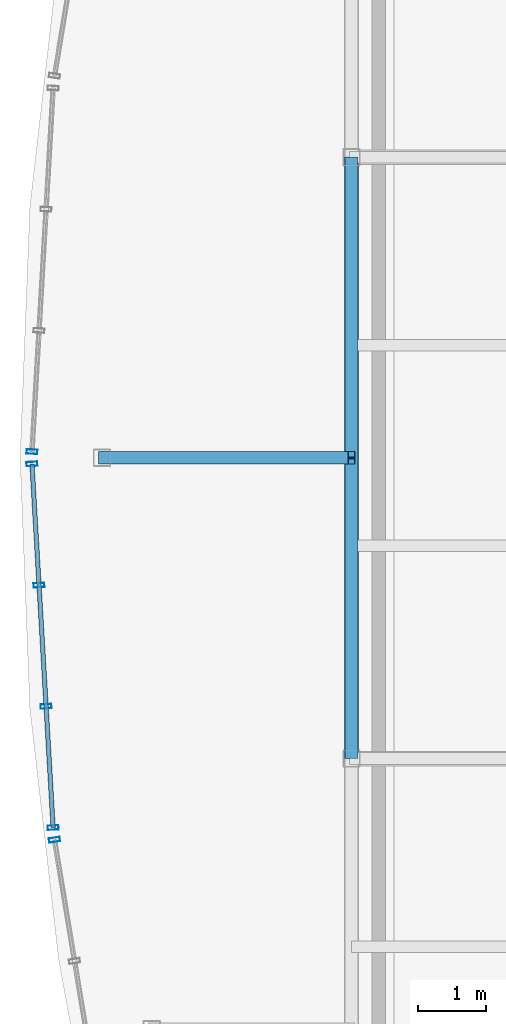
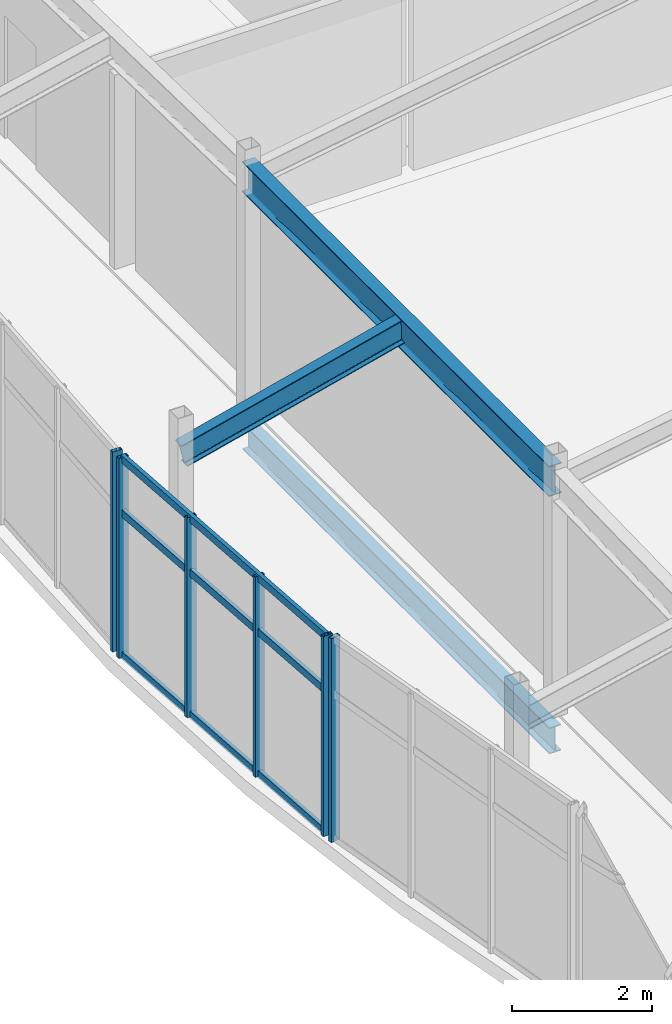
# One storey, part 19 of 114: 10 members, 2 beams, 3 elements without a shape of their own.
"""IFC4 building model written with IfcOpenShell, lengths in metres."""

from ifc_helpers import new_model, si_unit, direction, frame, origin, origin_2d, place, context, subcontext, project, spatial, hollow_rectangle, i_section, extrude, material, layer, layer_set, material_profile, profile_set, type_object, element, aggregate, save


model = new_model("IFC4")

# Units and contexts
model_context = context("Model", 3, precision=1e-05, world=origin(), true_north=direction((0.0, 1.0)))
body_context = subcontext(model_context, "Body", "Model", "MODEL_VIEW")
ifc_project = project(units=[si_unit("LENGTHUNIT", "METRE"), si_unit("AREAUNIT", "SQUARE_METRE"), si_unit("VOLUMEUNIT", "CUBIC_METRE"), si_unit("PLANEANGLEUNIT", "RADIAN"), si_unit("MASSUNIT", "GRAM", prefix="KILO")], contexts=[model_context])

# Site, building, storey
site_placement = place(None, origin())
site = spatial("IfcSite", under=ifc_project, at=site_placement, CompositionType="ELEMENT")
building_placement = place(site_placement, origin())
building = spatial("IfcBuilding", under=site, at=building_placement, Name="Chalmorin Arch Market", CompositionType="ELEMENT")
storey_placement = place(building_placement, frame((0.0, 0.0, 9.60009765625)))
storey = spatial("IfcBuildingStorey", under=building, at=storey_placement, Name="L02", CompositionType="ELEMENT", Elevation=9.60009765625)

# Curtain wall, member
ifc_material_1 = material(Name="Aluminium 6063-T6", Category="aluminium")
ifc_layer_1 = layer(ifc_material_1, 0.159912109375)
ifc_layer_set_1 = layer_set([ifc_layer_1], Name="Aluminium 6063-T6")
curtain_wall_type_1 = type_object("IfcCurtainWallType", Name="RiverfrontStorefrontCurtainWall-CW2-5390x3570", PredefinedType="NOTDEFINED", material=ifc_layer_set_1)
curtain_wall_1_placement = place(storey_placement, origin())
curtain_wall_1 = element("IfcCurtainWall", 1, at=curtain_wall_1_placement, inside=storey, type_object=curtain_wall_type_1, Name="CW-02-053", PredefinedType="NOTDEFINED")
ifc_material_profile_1 = material_profile(ifc_material_1, hollow_rectangle(XDim=0.06494140625, YDim=0.159912109375, WallThickness=0.00390625, at=origin_2d()), Name="ALU65X160X4")
ifc_profile_set_1 = profile_set([ifc_material_profile_1], Name="Aluminium 6063-T6")
member_type_1 = type_object("IfcMemberType", Name="CurtainWallMullion-65x160", PredefinedType="MULLION", material=ifc_profile_set_1)
member_1_placement = place(storey_placement, frame((-4.34521484375, 22.4111328125, 0.0), z_axis=(0.0, 0.0, 1.0), x_axis=(-0.15643446504, 0.987688340595, 0.0)))
member_1 = element("IfcMember", 2, at=member_1_placement, type_object=member_type_1, Name="ML-053-04", PredefinedType="MULLION", context=body_context, shape_type="SweptSolid", body=[
    extrude(hollow_rectangle(XDim=0.06494140625, YDim=0.159912109375, WallThickness=0.00390625, at=origin_2d()), origin(), (0.0, 0.0, 1.0), 3.56884765625),
])
aggregate(curtain_wall_1, [member_1])

# Curtain wall, members
ifc_layer_2 = layer(ifc_material_1, 0.159912109375)
ifc_layer_set_2 = layer_set([ifc_layer_2], Name="Aluminium 6063-T6")
curtain_wall_type_2 = type_object("IfcCurtainWallType", Name="RiverfrontStorefrontCurtainWall-CW2-5330x3500", PredefinedType="NOTDEFINED", material=ifc_layer_set_2)
curtain_wall_2_placement = place(storey_placement, origin())
curtain_wall_2 = element("IfcCurtainWall", 3, at=curtain_wall_2_placement, inside=storey, type_object=curtain_wall_type_2, Name="CW-02-056", PredefinedType="NOTDEFINED")
member_2_placement = place(storey_placement, frame((-4.365234375, 22.58984375, 0.0), z_axis=(0.0, 0.0, 1.0), x_axis=(-0.052335956243, 0.998629534755, 0.0)))
member_2 = element("IfcMember", 4, at=member_2_placement, type_object=member_type_1, Name="ML-056-01", PredefinedType="MULLION", context=body_context, shape_type="SweptSolid", body=[
    extrude(hollow_rectangle(XDim=0.06494140625, YDim=0.159912109375, WallThickness=0.00390625, at=origin_2d()), origin(), (0.0, 0.0, 1.0), 3.5),
])
member_3_placement = place(storey_placement, frame((-4.468505859375, 24.36328125, 0.0), z_axis=(0.0, 0.0, 1.0), x_axis=(-0.052335956243, 0.998629534755, 0.0)))
member_3 = element("IfcMember", 5, at=member_3_placement, type_object=member_type_1, Name="ML-056-02", PredefinedType="MULLION", context=body_context, shape_type="SweptSolid", body=[
    extrude(hollow_rectangle(XDim=0.06494140625, YDim=0.159912109375, WallThickness=0.00390625, at=origin_2d()), origin(), (0.0, 0.0, 1.0), 3.5),
])
member_4_placement = place(storey_placement, frame((-4.571533203125, 26.13671875, 0.0), z_axis=(0.0, 0.0, 1.0), x_axis=(-0.052335956243, 0.998629534755, 0.0)))
member_4 = element("IfcMember", 6, at=member_4_placement, type_object=member_type_1, Name="ML-056-03", PredefinedType="MULLION", context=body_context, shape_type="SweptSolid", body=[
    extrude(hollow_rectangle(XDim=0.06494140625, YDim=0.159912109375, WallThickness=0.00390625, at=origin_2d()), origin(), (0.0, 0.0, 1.0), 3.5),
])
member_5_placement = place(storey_placement, frame((-4.6748046875, 27.91015625, 0.0), z_axis=(0.0, 0.0, 1.0), x_axis=(-0.052335956243, 0.998629534755, 0.0)))
member_5 = element("IfcMember", 7, at=member_5_placement, type_object=member_type_1, Name="ML-056-04", PredefinedType="MULLION", context=body_context, shape_type="SweptSolid", body=[
    extrude(hollow_rectangle(XDim=0.06494140625, YDim=0.159912109375, WallThickness=0.00390625, at=origin_2d()), origin(), (0.0, 0.0, 1.0), 3.5),
])

# Curtain wall, member
curtain_wall_3_placement = place(storey_placement, origin())
curtain_wall_3 = element("IfcCurtainWall", 8, at=curtain_wall_3_placement, inside=storey, type_object=curtain_wall_type_2, Name="CW-02-059", PredefinedType="NOTDEFINED")
member_6_placement = place(storey_placement, frame((-4.6748046875, 28.08984375, 0.0), z_axis=(0.0, 0.0, 1.0), x_axis=(0.052335956243, 0.998629534755, 0.0)))
member_6 = element("IfcMember", 9, at=member_6_placement, type_object=member_type_1, Name="ML-059-01", PredefinedType="MULLION", context=body_context, shape_type="SweptSolid", body=[
    extrude(hollow_rectangle(XDim=0.06494140625, YDim=0.159912109375, WallThickness=0.00390625, at=origin_2d()), origin(), (0.0, 0.0, 1.0), 3.5),
])
aggregate(curtain_wall_3, [member_6])

# Member
ifc_material_profile_2 = material_profile(ifc_material_1, hollow_rectangle(XDim=0.06494140625, YDim=0.1298828125, WallThickness=0.00390625, at=origin_2d()), Name="ALU65X130X4")
ifc_profile_set_2 = profile_set([ifc_material_profile_2], Name="Aluminium 6063-T6")
member_type_2 = type_object("IfcMemberType", Name="CurtainWallTransom-65x130", PredefinedType="USERDEFINED", material=ifc_profile_set_2)
member_7_placement = place(storey_placement, frame((-4.365234375, 22.58984375, 0.034912109375), z_axis=(-0.058088239808, 0.998311452602, 0.0), x_axis=(-0.998311452602, -0.058088239808, 0.0)))
member_7 = element("IfcMember", 10, at=member_7_placement, type_object=member_type_2, Name="TR-056-01", ObjectType="TRANSOM", PredefinedType="USERDEFINED", context=body_context, shape_type="SweptSolid", body=[
    extrude(hollow_rectangle(XDim=0.06494140625, YDim=0.1298828125, WallThickness=0.00390625, at=origin_2d()), origin(), (0.0, 0.0, 1.0), 5.329345703125),
])

member_8_placement = place(storey_placement, frame((-4.365234375, 22.58984375, 2.52001953125), z_axis=(-0.058088239808, 0.998311452602, 0.0), x_axis=(-0.998311452602, -0.058088239808, 0.0)))
member_8 = element("IfcMember", 11, at=member_8_placement, type_object=member_type_2, Name="TR-056-02", ObjectType="TRANSOM", PredefinedType="USERDEFINED", context=body_context, shape_type="SweptSolid", body=[
    extrude(hollow_rectangle(XDim=0.06494140625, YDim=0.1298828125, WallThickness=0.00390625, at=origin_2d()), origin(), (0.0, 0.0, 1.0), 5.329345703125),
])

member_9_placement = place(storey_placement, frame((-4.365234375, 22.58984375, 3.46484375), z_axis=(-0.058088239808, 0.998311452602, 0.0), x_axis=(-0.998311452602, -0.058088239808, 0.0)))
member_9 = element("IfcMember", 12, at=member_9_placement, type_object=member_type_2, Name="TR-056-03", ObjectType="TRANSOM", PredefinedType="USERDEFINED", context=body_context, shape_type="SweptSolid", body=[
    extrude(hollow_rectangle(XDim=0.06494140625, YDim=0.1298828125, WallThickness=0.00390625, at=origin_2d()), origin(), (0.0, 0.0, 1.0), 5.329345703125),
])

aggregate(curtain_wall_2, [member_2, member_3, member_4, member_5, member_7, member_8, member_9])

# Beams
ifc_material_2 = material(Name="Steel A992 Grade 50", Category="steel")
ifc_material_profile_3 = material_profile(ifc_material_2, i_section(OverallWidth=0.19091796875, OverallDepth=0.45703125, WebThickness=0.009033203125, FlangeThickness=0.014404296875, FilletRadius=0.02001953125, at=origin_2d()), Name="W18X50")
ifc_profile_set_3 = profile_set([ifc_material_profile_3], Name="Steel A992 Grade 50")
beam_type_1 = type_object("IfcBeamType", Name="PerimeterSpandrelBeam-W18X50", PredefinedType="SPANDREL", material=ifc_profile_set_3)
beam_1_placement = place(storey_placement, frame((0.0, 23.60009765625, -0.480712890625), z_axis=(0.0, 1.0, 0.0), x_axis=(-1.0, 0.0, 0.0)))
element("IfcBeam", 13, at=beam_1_placement, inside=storey, type_object=beam_type_1, Name="SP-W18-1142", PredefinedType="SPANDREL", context=body_context, shape_type="SweptSolid", body=[
    extrude(i_section(OverallWidth=0.19091796875, OverallDepth=0.45703125, WebThickness=0.009033203125, FlangeThickness=0.014404296875, FilletRadius=0.02001953125, at=origin_2d()), origin(), (0.0, 0.0, 1.0), 8.7998046875),
])
ifc_material_profile_4 = material_profile(ifc_material_2, i_section(OverallWidth=0.208984375, OverallDepth=0.532958984375, WebThickness=0.01025390625, FlangeThickness=0.015625, FilletRadius=0.02197265625, at=origin_2d()), Name="W21X62")
ifc_profile_set_4 = profile_set([ifc_material_profile_4], Name="Steel A992 Grade 50")
beam_type_2 = type_object("IfcBeamType", Name="PrimarySteelGirder-W21X62", PredefinedType="BEAM", material=ifc_profile_set_4)
beam_2_placement = place(storey_placement, frame((0.0, 23.60009765625, 4.060791015625), z_axis=(0.0, 0.999999934958, 0.000360670268), x_axis=(-1.0, 0.0, 0.0)))
element("IfcBeam", 14, at=beam_2_placement, inside=storey, type_object=beam_type_2, Name="BG-W21B-1525", PredefinedType="BEAM", context=body_context, shape_type="SweptSolid", body=[
    extrude(i_section(OverallWidth=0.208984375, OverallDepth=0.532958984375, WebThickness=0.01025390625, FlangeThickness=0.015625, FilletRadius=0.02197265625, at=origin_2d()), origin(), (0.0, 0.0, 1.0), 8.7998046875),
])

# Member
ifc_material_profile_5 = material_profile(ifc_material_2, i_section(OverallWidth=0.178955078125, OverallDepth=0.409912109375, WebThickness=0.0087890625, FlangeThickness=0.014404296875, FilletRadius=0.01806640625, at=origin_2d()), Name="W16X45")
ifc_profile_set_5 = profile_set([ifc_material_profile_5], Name="Steel A992 Grade 50")
member_type_3 = type_object("IfcMemberType", Name="RoofSteelPurlin-W16X45", PredefinedType="PURLIN", material=ifc_profile_set_5)
member_10_placement = place(storey_placement, frame((-3.64990234375, 28.0, 3.1318359375), z_axis=(0.969859451843, 0.0, 0.243665023486), x_axis=(0.0, 1.0, 0.0)))
element("IfcMember", 15, at=member_10_placement, inside=storey, type_object=member_type_3, Name="PR-W16-0038", PredefinedType="PURLIN", context=body_context, shape_type="SweptSolid", body=[
    extrude(i_section(OverallWidth=0.178955078125, OverallDepth=0.409912109375, WebThickness=0.0087890625, FlangeThickness=0.014404296875, FilletRadius=0.01806640625, at=origin_2d()), origin(), (0.0, 0.0, 1.0), 3.763427734375),
])

save(model, "model.ifc")
